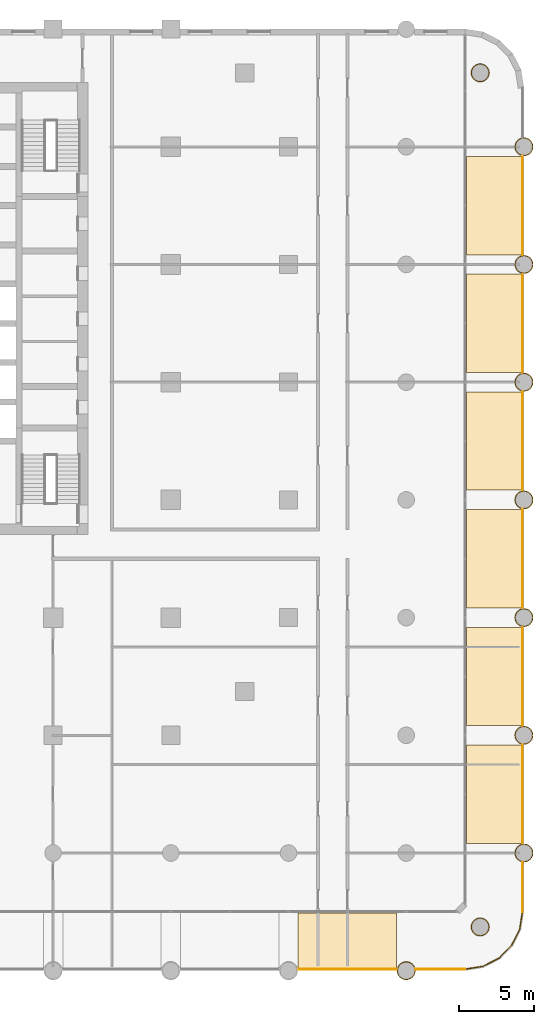
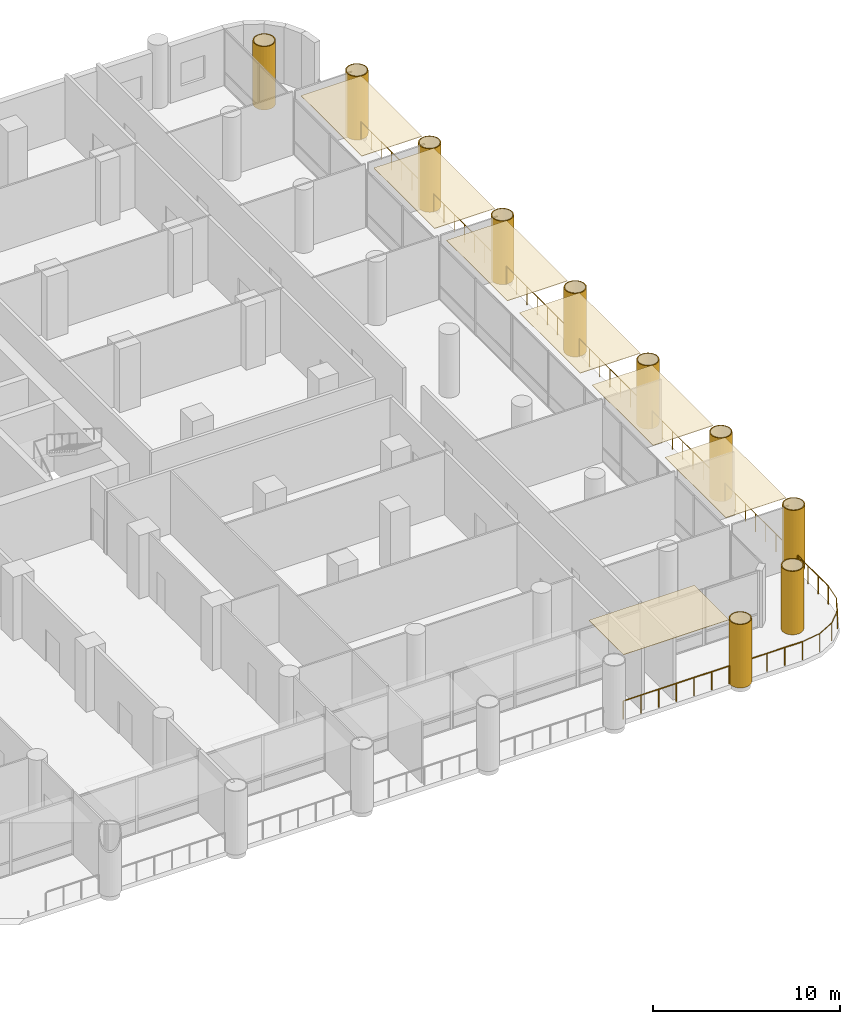
# One storey, part 22 of 23: 17 coverings, 10 railings.
"""IFC4 building model written with IfcOpenShell, lengths in metres."""

from ifc_helpers import new_model, si_unit, direction, frame, origin, origin_2d, place, context, subcontext, project, spatial, polyline, rectangle, circle, outline, extrude, material, layer, layer_set, type_object, element, save


model = new_model("IFC4")

# Units and contexts
model_context = context("Model", 3, precision=1e-05, world=origin(), true_north=direction((0.0, 1.0)))
body_context = subcontext(model_context, "Body", "Model", "MODEL_VIEW")
ifc_project = project(units=[si_unit("LENGTHUNIT", "METRE"), si_unit("AREAUNIT", "SQUARE_METRE"), si_unit("VOLUMEUNIT", "CUBIC_METRE"), si_unit("PLANEANGLEUNIT", "RADIAN"), si_unit("MASSUNIT", "GRAM", prefix="KILO")], contexts=[model_context])

# Site, building, storey
site_placement = place(None, origin())
site = spatial("IfcSite", under=ifc_project, at=site_placement, CompositionType="ELEMENT")
building_placement = place(site_placement, origin())
building = spatial("IfcBuilding", under=site, at=building_placement, Name="Ludao Terraces", CompositionType="ELEMENT")
storey_placement = place(building_placement, frame((0.0, 0.0, 10.5)))
storey = spatial("IfcBuildingStorey", under=building, at=storey_placement, Name="L02", CompositionType="ELEMENT", Elevation=10.5)

# Coverings
ifc_material_1 = material(Name="Stone-effect cement board ceiling lining", Category="masonry")
ifc_layer_1 = layer(ifc_material_1, 0.030029296875)
ifc_layer_set_1 = layer_set([ifc_layer_1], Name="ENV Arcade ceiling lining 30")
covering_type_1 = type_object("IfcCoveringType", Name="ENV Arcade ceiling lining 30", PredefinedType="CEILING", material=ifc_layer_set_1)
covering_1_placement = place(storey_placement, frame((112.300048828125, 27.9599609375, 4.169921875), z_axis=(0.0, 0.0, 1.0), x_axis=(1.0, 0.0, 0.0)))
element("IfcCovering", 1, at=covering_1_placement, inside=storey, type_object=covering_type_1, Name="CL-L02-S8", PredefinedType="CEILING", context=body_context, shape_type="SweptSolid", body=[
    extrude(rectangle(XDim=6.52001953125, YDim=3.719970703125, at=origin_2d()), origin(), (0.0, 0.0, 1.0), 0.030029296875),
])
for number, where, z_axis, x_axis, name in (
    (2, (122.0400390625, 37.699951171875, 4.169921875), (0.0, 0.0, 1.0), (1.0, 0.0, 0.0), "CL-L02-E1"),
    (3, (122.0400390625, 45.5, 4.169921875), (0.0, 0.0, 1.0), (1.0, 0.0, 0.0), "CL-L02-E2"),
    (4, (122.0400390625, 53.300048828125, 4.169921875), (0.0, 0.0, 1.0), (1.0, 0.0, 0.0), "CL-L02-E3"),
    (5, (122.0400390625, 61.10009765625, 4.169921875), (0.0, 0.0, 1.0), (1.0, 0.0, 0.0), "CL-L02-E4"),
    (6, (122.0400390625, 68.89990234375, 4.169921875), (0.0, 0.0, 1.0), (1.0, 0.0, 0.0), "CL-L02-E5"),
    (7, (122.0400390625, 76.699951171875, 4.169921875), (0.0, 0.0, 1.0), (1.0, 0.0, 0.0), "CL-L02-E6"),
):
    element("IfcCovering", number, at=place(storey_placement, frame(where, z_axis=z_axis, x_axis=x_axis)), inside=storey, type_object=covering_type_1, Name=name, PredefinedType="CEILING", context=body_context, shape_type="SweptSolid", body=[
        extrude(rectangle(XDim=3.719970703125, YDim=6.52001953125, at=origin_2d()), origin(), (0.0, 0.0, 1.0), 0.030029296875),
    ])

# Railings
ifc_material_2 = material(Name="Steel Q235", Category="steel")
railing_type = type_object("IfcRailingType", Name="ENV Open-edge guard 1200", PredefinedType="GUARDRAIL", material=ifc_material_2)
railing_1_placement = place(storey_placement, frame((109.02001953125, 26.10009765625, 0.0)))
element("IfcRailing", 8, at=railing_1_placement, inside=storey, type_object=railing_type, Name="Guard L02 S9", PredefinedType="GUARDRAIL", context=body_context, shape_type="SweptSolid", body=[
    extrude(circle(Radius=0.02392578125, at=origin_2d()), frame((0.0, 0.0, 1.17578125), z_axis=(1.0, 0.0, 0.0), x_axis=(0.0, 1.0, 0.0)), (0.0, 0.0, 1.0), 6.56005859375),
    extrude(circle(Radius=0.02099609375, at=origin_2d()), origin(), (0.0, 0.0, 1.0), 1.15185546875),
    extrude(circle(Radius=0.02099609375, at=origin_2d()), frame((1.09326171875, 0.0, 0.0)), (0.0, 0.0, 1.0), 1.15185546875),
    extrude(circle(Radius=0.02099609375, at=origin_2d()), frame((2.186767578125, 0.0, 0.0)), (0.0, 0.0, 1.0), 1.15185546875),
    extrude(circle(Radius=0.02099609375, at=origin_2d()), frame((3.280029296875, 0.0, 0.0)), (0.0, 0.0, 1.0), 1.15185546875),
    extrude(circle(Radius=0.02099609375, at=origin_2d()), frame((4.373291015625, 0.0, 0.0)), (0.0, 0.0, 1.0), 1.15185546875),
    extrude(circle(Radius=0.02099609375, at=origin_2d()), frame((5.466796875, 0.0, 0.0)), (0.0, 0.0, 1.0), 1.15185546875),
    extrude(circle(Radius=0.02099609375, at=origin_2d()), frame((6.56005859375, 0.0, 0.0)), (0.0, 0.0, 1.0), 1.15185546875),
])
railing_2_placement = place(storey_placement, frame((116.820068359375, 26.10009765625, 0.0)))
element("IfcRailing", 9, at=railing_2_placement, inside=storey, type_object=railing_type, Name="Guard L02 S10", PredefinedType="GUARDRAIL", context=body_context, shape_type="SweptSolid", body=[
    extrude(circle(Radius=0.02392578125, at=origin_2d()), frame((0.0, 0.0, 1.17578125), z_axis=(1.0, 0.0, 0.0), x_axis=(0.0, 1.0, 0.0)), (0.0, 0.0, 1.0), 3.280029296875),
    extrude(circle(Radius=0.02099609375, at=origin_2d()), origin(), (0.0, 0.0, 1.0), 1.15185546875),
    extrude(circle(Radius=0.02099609375, at=origin_2d()), frame((1.09326171875, 0.0, 0.0)), (0.0, 0.0, 1.0), 1.15185546875),
    extrude(circle(Radius=0.02099609375, at=origin_2d()), frame((2.186767578125, 0.0, 0.0)), (0.0, 0.0, 1.0), 1.15185546875),
    extrude(circle(Radius=0.02099609375, at=origin_2d()), frame((3.280029296875, 0.0, 0.0)), (0.0, 0.0, 1.0), 1.15185546875),
])
railing_3_placement = place(storey_placement, frame((123.89990234375, 29.89990234375, 0.0)))
element("IfcRailing", 10, at=railing_3_placement, inside=storey, type_object=railing_type, Name="Guard L02 E1", PredefinedType="GUARDRAIL", context=body_context, shape_type="SweptSolid", body=[
    extrude(circle(Radius=0.02392578125, at=origin_2d()), frame((0.0, 0.0, 1.17578125), z_axis=(0.0, 1.0, 0.0), x_axis=(-1.0, 0.0, 0.0)), (0.0, 0.0, 1.0), 3.280029296875),
    extrude(circle(Radius=0.02099609375, at=origin_2d()), origin(), (0.0, 0.0, 1.0), 1.15185546875),
    extrude(circle(Radius=0.02099609375, at=origin_2d()), frame((0.0, 1.09326171875, 0.0)), (0.0, 0.0, 1.0), 1.15185546875),
    extrude(circle(Radius=0.02099609375, at=origin_2d()), frame((0.0, 2.186767578125, 0.0)), (0.0, 0.0, 1.0), 1.15185546875),
    extrude(circle(Radius=0.02099609375, at=origin_2d()), frame((0.0, 3.280029296875, 0.0)), (0.0, 0.0, 1.0), 1.15185546875),
])
for number, where, name in (
    (11, (123.89990234375, 34.419921875, 0.0), "Guard L02 E2"),
    (12, (123.89990234375, 42.219970703125, 0.0), "Guard L02 E3"),
    (13, (123.89990234375, 50.02001953125, 0.0), "Guard L02 E4"),
):
    element("IfcRailing", number, at=place(storey_placement, frame(where)), inside=storey, type_object=railing_type, Name=name, PredefinedType="GUARDRAIL", context=body_context, shape_type="SweptSolid", body=[
        extrude(circle(Radius=0.02392578125, at=origin_2d()), frame((0.0, 0.0, 1.17578125), z_axis=(0.0, 1.0, 0.0), x_axis=(-1.0, 0.0, 0.0)), (0.0, 0.0, 1.0), 6.56005859375),
        extrude(circle(Radius=0.02099609375, at=origin_2d()), origin(), (0.0, 0.0, 1.0), 1.15185546875),
        extrude(circle(Radius=0.02099609375, at=origin_2d()), frame((0.0, 1.09326171875, 0.0)), (0.0, 0.0, 1.0), 1.15185546875),
        extrude(circle(Radius=0.02099609375, at=origin_2d()), frame((0.0, 2.186767578125, 0.0)), (0.0, 0.0, 1.0), 1.15185546875),
        extrude(circle(Radius=0.02099609375, at=origin_2d()), frame((0.0, 3.280029296875, 0.0)), (0.0, 0.0, 1.0), 1.15185546875),
        extrude(circle(Radius=0.02099609375, at=origin_2d()), frame((0.0, 4.373291015625, 0.0)), (0.0, 0.0, 1.0), 1.15185546875),
        extrude(circle(Radius=0.02099609375, at=origin_2d()), frame((0.0, 5.466796875, 0.0)), (0.0, 0.0, 1.0), 1.15185546875),
        extrude(circle(Radius=0.02099609375, at=origin_2d()), frame((0.0, 6.56005859375, 0.0)), (0.0, 0.0, 1.0), 1.15185546875),
    ])
for number, where, name in (
    (14, (123.89990234375, 57.820068359375, 0.0), "Guard L02 E5"),
    (15, (123.89990234375, 65.6201171875, 0.0), "Guard L02 E6"),
):
    element("IfcRailing", number, at=place(storey_placement, frame(where)), inside=storey, type_object=railing_type, Name=name, PredefinedType="GUARDRAIL", context=body_context, shape_type="SweptSolid", body=[
        extrude(circle(Radius=0.02392578125, at=origin_2d()), frame((0.0, 0.0, 1.17578125), z_axis=(0.0, 1.0, 0.0), x_axis=(-1.0, 0.0, 0.0)), (0.0, 0.0, 1.0), 6.559814453125),
        extrude(circle(Radius=0.02099609375, at=origin_2d()), origin(), (0.0, 0.0, 1.0), 1.15185546875),
        extrude(circle(Radius=0.02099609375, at=origin_2d()), frame((0.0, 1.09326171875, 0.0)), (0.0, 0.0, 1.0), 1.15185546875),
        extrude(circle(Radius=0.02099609375, at=origin_2d()), frame((0.0, 2.1865234375, 0.0)), (0.0, 0.0, 1.0), 1.15185546875),
        extrude(circle(Radius=0.02099609375, at=origin_2d()), frame((0.0, 3.27978515625, 0.0)), (0.0, 0.0, 1.0), 1.15185546875),
        extrude(circle(Radius=0.02099609375, at=origin_2d()), frame((0.0, 4.373291015625, 0.0)), (0.0, 0.0, 1.0), 1.15185546875),
        extrude(circle(Radius=0.02099609375, at=origin_2d()), frame((0.0, 5.466552734375, 0.0)), (0.0, 0.0, 1.0), 1.15185546875),
        extrude(circle(Radius=0.02099609375, at=origin_2d()), frame((0.0, 6.559814453125, 0.0)), (0.0, 0.0, 1.0), 1.15185546875),
    ])
railing_4_placement = place(storey_placement, frame((123.89990234375, 73.419921875, 0.0)))
element("IfcRailing", 16, at=railing_4_placement, inside=storey, type_object=railing_type, Name="Guard L02 E7", PredefinedType="GUARDRAIL", context=body_context, shape_type="SweptSolid", body=[
    extrude(circle(Radius=0.02392578125, at=origin_2d()), frame((0.0, 0.0, 1.17578125), z_axis=(0.0, 1.0, 0.0), x_axis=(-1.0, 0.0, 0.0)), (0.0, 0.0, 1.0), 6.56005859375),
    extrude(circle(Radius=0.02099609375, at=origin_2d()), origin(), (0.0, 0.0, 1.0), 1.15185546875),
    extrude(circle(Radius=0.02099609375, at=origin_2d()), frame((0.0, 1.09326171875, 0.0)), (0.0, 0.0, 1.0), 1.15185546875),
    extrude(circle(Radius=0.02099609375, at=origin_2d()), frame((0.0, 2.186767578125, 0.0)), (0.0, 0.0, 1.0), 1.15185546875),
    extrude(circle(Radius=0.02099609375, at=origin_2d()), frame((0.0, 3.280029296875, 0.0)), (0.0, 0.0, 1.0), 1.15185546875),
    extrude(circle(Radius=0.02099609375, at=origin_2d()), frame((0.0, 4.373291015625, 0.0)), (0.0, 0.0, 1.0), 1.15185546875),
    extrude(circle(Radius=0.02099609375, at=origin_2d()), frame((0.0, 5.466796875, 0.0)), (0.0, 0.0, 1.0), 1.15185546875),
    extrude(circle(Radius=0.02099609375, at=origin_2d()), frame((0.0, 6.56005859375, 0.0)), (0.0, 0.0, 1.0), 1.15185546875),
])
railing_5_placement = place(storey_placement, frame((120.10009765625, 26.10009765625, 0.0)))
element("IfcRailing", 17, at=railing_5_placement, inside=storey, type_object=railing_type, Name="Guard L02 SE", PredefinedType="GUARDRAIL", context=body_context, shape_type="SweptSolid", body=[
    extrude(circle(Radius=0.02392578125, at=origin_2d()), frame((0.0, 0.0, 1.17578125), z_axis=(0.987709617879, 0.156300066377, 0.0), x_axis=(-0.156300066377, 0.987709617879, 0.0)), (0.0, 0.0, 1.0), 1.188720703125),
    extrude(circle(Radius=0.02392578125, at=origin_2d()), frame((1.174072265625, 0.185791015625, 1.17578125), z_axis=(0.890992479772, 0.454018062405, 0.0), x_axis=(-0.454018062405, 0.890992479772, 0.0)), (0.0, 0.0, 1.0), 1.18896484375),
    extrude(circle(Radius=0.02392578125, at=origin_2d()), frame((2.2333984375, 0.7255859375, 1.17578125), z_axis=(0.707106781187, 0.707106781187, 0.0), x_axis=(-0.707106781187, 0.707106781187, 0.0)), (0.0, 0.0, 1.0), 1.189208984375),
    extrude(circle(Radius=0.02392578125, at=origin_2d()), frame((3.07421875, 1.56640625, 1.17578125), z_axis=(0.454018062405, 0.890992479772, 0.0), x_axis=(-0.890992479772, 0.454018062405, 0.0)), (0.0, 0.0, 1.0), 1.18896484375),
    extrude(circle(Radius=0.02392578125, at=origin_2d()), frame((3.614013671875, 2.625732421875, 1.17578125), z_axis=(0.156300066377, 0.987709617879, 0.0), x_axis=(-0.987709617879, 0.156300066377, 0.0)), (0.0, 0.0, 1.0), 1.188720703125),
    extrude(circle(Radius=0.02099609375, at=origin_2d()), origin(), (0.0, 0.0, 1.0), 1.15185546875),
    extrude(circle(Radius=0.02099609375, at=origin_2d()), frame((1.174072265625, 0.185791015625, 0.0)), (0.0, 0.0, 1.0), 1.15185546875),
    extrude(circle(Radius=0.02099609375, at=origin_2d()), frame((2.2333984375, 0.7255859375, 0.0)), (0.0, 0.0, 1.0), 1.15185546875),
    extrude(circle(Radius=0.02099609375, at=origin_2d()), frame((3.07421875, 1.56640625, 0.0)), (0.0, 0.0, 1.0), 1.15185546875),
    extrude(circle(Radius=0.02099609375, at=origin_2d()), frame((3.614013671875, 2.625732421875, 0.0)), (0.0, 0.0, 1.0), 1.15185546875),
    extrude(circle(Radius=0.02099609375, at=origin_2d()), frame((3.7998046875, 3.7998046875, 0.0)), (0.0, 0.0, 1.0), 1.15185546875),
])

# Coverings
ifc_material_3 = material(Name="Granite cladding", Category="masonry")
ifc_layer_2 = layer(ifc_material_3, 0.06005859375)
ifc_layer_set_2 = layer_set([ifc_layer_2], Name="ENV Stone column casing 60")
covering_type_2 = type_object("IfcCoveringType", Name="ENV Stone column casing 60", PredefinedType="CLADDING", material=ifc_layer_set_2)
covering_2_placement = place(storey_placement, origin())
element("IfcCovering", 18, at=covering_2_placement, inside=storey, type_object=covering_type_2, Name="CC-L02-G0546x-156", PredefinedType="CLADDING", context=body_context, shape_type="SweptSolid", body=[
    extrude(outline(polyline([(116.814697265625, 26.0), (116.793701171875, 26.1591796875), (116.732421875, 26.307373046875), (116.634765625, 26.4345703125), (116.50732421875, 26.532470703125), (116.359130859375, 26.59375), (116.199951171875, 26.61474609375), (116.040771484375, 26.59375), (115.892578125, 26.532470703125), (115.765380859375, 26.4345703125), (115.667724609375, 26.307373046875), (115.606201171875, 26.1591796875), (115.585205078125, 26.0), (115.606201171875, 25.8408203125), (115.667724609375, 25.692626953125), (115.765380859375, 25.5654296875), (115.892578125, 25.467529296875), (116.040771484375, 25.40625), (116.199951171875, 25.38525390625), (116.359130859375, 25.40625), (116.50732421875, 25.467529296875), (116.634765625, 25.5654296875), (116.732421875, 25.692626953125), (116.793701171875, 25.8408203125), (116.814697265625, 26.0)]), holes=[polyline([(116.73583984375, 25.8564453125), (116.680419921875, 25.72265625), (116.59228515625, 25.607666015625), (116.477294921875, 25.51953125), (116.343505859375, 25.464111328125), (116.199951171875, 25.4453125), (116.056396484375, 25.464111328125), (115.922607421875, 25.51953125), (115.8076171875, 25.607666015625), (115.719482421875, 25.72265625), (115.6640625, 25.8564453125), (115.645263671875, 26.0), (115.6640625, 26.1435546875), (115.719482421875, 26.27734375), (115.8076171875, 26.392333984375), (115.922607421875, 26.48046875), (116.056396484375, 26.535888671875), (116.199951171875, 26.5546875), (116.343505859375, 26.535888671875), (116.477294921875, 26.48046875), (116.59228515625, 26.392333984375), (116.680419921875, 26.27734375), (116.73583984375, 26.1435546875), (116.754638671875, 26.0), (116.73583984375, 25.8564453125)])]), origin(), (0.0, 0.0, 1.0), 4.14990234375),
])
covering_3_placement = place(storey_placement, origin())
element("IfcCovering", 19, at=covering_3_placement, inside=storey, type_object=covering_type_2, Name="CC-L02-G0595x-127", PredefinedType="CLADDING", context=body_context, shape_type="SweptSolid", body=[
    extrude(outline(polyline([(121.71484375, 28.89990234375), (121.69384765625, 29.05908203125), (121.63232421875, 29.207275390625), (121.53466796875, 29.334716796875), (121.407470703125, 29.432373046875), (121.259033203125, 29.493896484375), (121.10009765625, 29.5146484375), (120.94091796875, 29.493896484375), (120.792724609375, 29.432373046875), (120.665283203125, 29.334716796875), (120.567626953125, 29.207275390625), (120.506103515625, 29.05908203125), (120.4853515625, 28.89990234375), (120.506103515625, 28.740966796875), (120.567626953125, 28.592529296875), (120.665283203125, 28.46533203125), (120.792724609375, 28.36767578125), (120.94091796875, 28.30615234375), (121.10009765625, 28.28515625), (121.259033203125, 28.30615234375), (121.407470703125, 28.36767578125), (121.53466796875, 28.46533203125), (121.63232421875, 28.592529296875), (121.69384765625, 28.740966796875), (121.71484375, 28.89990234375)]), holes=[polyline([(121.6357421875, 28.75634765625), (121.580322265625, 28.62255859375), (121.4921875, 28.5078125), (121.37744140625, 28.419677734375), (121.24365234375, 28.3642578125), (121.10009765625, 28.34521484375), (120.95654296875, 28.3642578125), (120.822509765625, 28.419677734375), (120.707763671875, 28.5078125), (120.61962890625, 28.62255859375), (120.564208984375, 28.75634765625), (120.545166015625, 28.89990234375), (120.564208984375, 29.04345703125), (120.61962890625, 29.177490234375), (120.707763671875, 29.292236328125), (120.822509765625, 29.38037109375), (120.95654296875, 29.435791015625), (121.10009765625, 29.454833984375), (121.24365234375, 29.435791015625), (121.37744140625, 29.38037109375), (121.4921875, 29.292236328125), (121.580322265625, 29.177490234375), (121.6357421875, 29.04345703125), (121.65478515625, 28.89990234375), (121.6357421875, 28.75634765625)])]), origin(), (0.0, 0.0, 1.0), 4.14990234375),
])
covering_4_placement = place(storey_placement, origin())
element("IfcCovering", 20, at=covering_4_placement, inside=storey, type_object=covering_type_2, Name="CC-L02-G0624x-078", PredefinedType="CLADDING", context=body_context, shape_type="SweptSolid", body=[
    extrude(outline(polyline([(124.61474609375, 33.800048828125), (124.59375, 33.959228515625), (124.532470703125, 34.107421875), (124.4345703125, 34.234619140625), (124.307373046875, 34.332275390625), (124.1591796875, 34.393798828125), (124.0, 34.414794921875), (123.8408203125, 34.393798828125), (123.692626953125, 34.332275390625), (123.5654296875, 34.234619140625), (123.467529296875, 34.107421875), (123.40625, 33.959228515625), (123.38525390625, 33.800048828125), (123.40625, 33.640869140625), (123.467529296875, 33.49267578125), (123.5654296875, 33.365234375), (123.692626953125, 33.267578125), (123.8408203125, 33.206298828125), (124.0, 33.185302734375), (124.1591796875, 33.206298828125), (124.307373046875, 33.267578125), (124.4345703125, 33.365234375), (124.532470703125, 33.49267578125), (124.59375, 33.640869140625), (124.61474609375, 33.800048828125)]), holes=[polyline([(124.535888671875, 33.656494140625), (124.48046875, 33.522705078125), (124.392333984375, 33.40771484375), (124.27734375, 33.319580078125), (124.1435546875, 33.26416015625), (124.0, 33.245361328125), (123.8564453125, 33.26416015625), (123.72265625, 33.319580078125), (123.607666015625, 33.40771484375), (123.51953125, 33.522705078125), (123.464111328125, 33.656494140625), (123.4453125, 33.800048828125), (123.464111328125, 33.943603515625), (123.51953125, 34.077392578125), (123.607666015625, 34.1923828125), (123.72265625, 34.280517578125), (123.8564453125, 34.3359375), (124.0, 34.354736328125), (124.1435546875, 34.3359375), (124.27734375, 34.280517578125), (124.392333984375, 34.1923828125), (124.48046875, 34.077392578125), (124.535888671875, 33.943603515625), (124.5546875, 33.800048828125), (124.535888671875, 33.656494140625)])]), origin(), (0.0, 0.0, 1.0), 4.14990234375),
])
covering_5_placement = place(storey_placement, origin())
element("IfcCovering", 21, at=covering_5_placement, inside=storey, type_object=covering_type_2, Name="CC-L02-G0624x0000", PredefinedType="CLADDING", context=body_context, shape_type="SweptSolid", body=[
    extrude(outline(polyline([(124.61474609375, 41.60009765625), (124.59375, 41.759033203125), (124.532470703125, 41.907470703125), (124.4345703125, 42.03466796875), (124.307373046875, 42.13232421875), (124.1591796875, 42.19384765625), (124.0, 42.21484375), (123.8408203125, 42.19384765625), (123.692626953125, 42.13232421875), (123.5654296875, 42.03466796875), (123.467529296875, 41.907470703125), (123.40625, 41.759033203125), (123.38525390625, 41.60009765625), (123.40625, 41.44091796875), (123.467529296875, 41.292724609375), (123.5654296875, 41.165283203125), (123.692626953125, 41.067626953125), (123.8408203125, 41.006103515625), (124.0, 40.9853515625), (124.1591796875, 41.006103515625), (124.307373046875, 41.067626953125), (124.4345703125, 41.165283203125), (124.532470703125, 41.292724609375), (124.59375, 41.44091796875), (124.61474609375, 41.60009765625)]), holes=[polyline([(124.535888671875, 41.45654296875), (124.48046875, 41.322509765625), (124.392333984375, 41.207763671875), (124.27734375, 41.11962890625), (124.1435546875, 41.064208984375), (124.0, 41.045166015625), (123.8564453125, 41.064208984375), (123.72265625, 41.11962890625), (123.607666015625, 41.207763671875), (123.51953125, 41.322509765625), (123.464111328125, 41.45654296875), (123.4453125, 41.60009765625), (123.464111328125, 41.74365234375), (123.51953125, 41.87744140625), (123.607666015625, 41.9921875), (123.72265625, 42.080322265625), (123.8564453125, 42.1357421875), (124.0, 42.15478515625), (124.1435546875, 42.1357421875), (124.27734375, 42.080322265625), (124.392333984375, 41.9921875), (124.48046875, 41.87744140625), (124.535888671875, 41.74365234375), (124.5546875, 41.60009765625), (124.535888671875, 41.45654296875)])]), origin(), (0.0, 0.0, 1.0), 4.14990234375),
])
covering_6_placement = place(storey_placement, origin())
element("IfcCovering", 22, at=covering_6_placement, inside=storey, type_object=covering_type_2, Name="CC-L02-G0624x0078", PredefinedType="CLADDING", context=body_context, shape_type="SweptSolid", body=[
    extrude(outline(polyline([(124.61474609375, 49.39990234375), (124.59375, 49.55908203125), (124.532470703125, 49.707275390625), (124.4345703125, 49.834716796875), (124.307373046875, 49.932373046875), (124.1591796875, 49.993896484375), (124.0, 50.0146484375), (123.8408203125, 49.993896484375), (123.692626953125, 49.932373046875), (123.5654296875, 49.834716796875), (123.467529296875, 49.707275390625), (123.40625, 49.55908203125), (123.38525390625, 49.39990234375), (123.40625, 49.240966796875), (123.467529296875, 49.092529296875), (123.5654296875, 48.96533203125), (123.692626953125, 48.86767578125), (123.8408203125, 48.80615234375), (124.0, 48.78515625), (124.1591796875, 48.80615234375), (124.307373046875, 48.86767578125), (124.4345703125, 48.96533203125), (124.532470703125, 49.092529296875), (124.59375, 49.240966796875), (124.61474609375, 49.39990234375)]), holes=[polyline([(124.535888671875, 49.25634765625), (124.48046875, 49.12255859375), (124.392333984375, 49.0078125), (124.27734375, 48.919677734375), (124.1435546875, 48.8642578125), (124.0, 48.84521484375), (123.8564453125, 48.8642578125), (123.72265625, 48.919677734375), (123.607666015625, 49.0078125), (123.51953125, 49.12255859375), (123.464111328125, 49.25634765625), (123.4453125, 49.39990234375), (123.464111328125, 49.54345703125), (123.51953125, 49.677490234375), (123.607666015625, 49.792236328125), (123.72265625, 49.88037109375), (123.8564453125, 49.935791015625), (124.0, 49.954833984375), (124.1435546875, 49.935791015625), (124.27734375, 49.88037109375), (124.392333984375, 49.792236328125), (124.48046875, 49.677490234375), (124.535888671875, 49.54345703125), (124.5546875, 49.39990234375), (124.535888671875, 49.25634765625)])]), origin(), (0.0, 0.0, 1.0), 4.14990234375),
])
covering_7_placement = place(storey_placement, origin())
element("IfcCovering", 23, at=covering_7_placement, inside=storey, type_object=covering_type_2, Name="CC-L02-G0624x0156", PredefinedType="CLADDING", context=body_context, shape_type="SweptSolid", body=[
    extrude(outline(polyline([(124.61474609375, 57.199951171875), (124.59375, 57.359130859375), (124.532470703125, 57.50732421875), (124.4345703125, 57.634765625), (124.307373046875, 57.732421875), (124.1591796875, 57.793701171875), (124.0, 57.814697265625), (123.8408203125, 57.793701171875), (123.692626953125, 57.732421875), (123.5654296875, 57.634765625), (123.467529296875, 57.50732421875), (123.40625, 57.359130859375), (123.38525390625, 57.199951171875), (123.40625, 57.040771484375), (123.467529296875, 56.892578125), (123.5654296875, 56.765380859375), (123.692626953125, 56.667724609375), (123.8408203125, 56.606201171875), (124.0, 56.585205078125), (124.1591796875, 56.606201171875), (124.307373046875, 56.667724609375), (124.4345703125, 56.765380859375), (124.532470703125, 56.892578125), (124.59375, 57.040771484375), (124.61474609375, 57.199951171875)]), holes=[polyline([(124.535888671875, 57.056396484375), (124.48046875, 56.922607421875), (124.392333984375, 56.8076171875), (124.27734375, 56.719482421875), (124.1435546875, 56.6640625), (124.0, 56.645263671875), (123.8564453125, 56.6640625), (123.72265625, 56.719482421875), (123.607666015625, 56.8076171875), (123.51953125, 56.922607421875), (123.464111328125, 57.056396484375), (123.4453125, 57.199951171875), (123.464111328125, 57.343505859375), (123.51953125, 57.477294921875), (123.607666015625, 57.59228515625), (123.72265625, 57.680419921875), (123.8564453125, 57.73583984375), (124.0, 57.754638671875), (124.1435546875, 57.73583984375), (124.27734375, 57.680419921875), (124.392333984375, 57.59228515625), (124.48046875, 57.477294921875), (124.535888671875, 57.343505859375), (124.5546875, 57.199951171875), (124.535888671875, 57.056396484375)])]), origin(), (0.0, 0.0, 1.0), 4.14990234375),
])
covering_8_placement = place(storey_placement, origin())
element("IfcCovering", 24, at=covering_8_placement, inside=storey, type_object=covering_type_2, Name="CC-L02-G0624x0234", PredefinedType="CLADDING", context=body_context, shape_type="SweptSolid", body=[
    extrude(outline(polyline([(124.61474609375, 65.0), (124.59375, 65.1591796875), (124.532470703125, 65.307373046875), (124.4345703125, 65.4345703125), (124.307373046875, 65.532470703125), (124.1591796875, 65.59375), (124.0, 65.61474609375), (123.8408203125, 65.59375), (123.692626953125, 65.532470703125), (123.5654296875, 65.4345703125), (123.467529296875, 65.307373046875), (123.40625, 65.1591796875), (123.38525390625, 65.0), (123.40625, 64.8408203125), (123.467529296875, 64.692626953125), (123.5654296875, 64.5654296875), (123.692626953125, 64.467529296875), (123.8408203125, 64.40625), (124.0, 64.38525390625), (124.1591796875, 64.40625), (124.307373046875, 64.467529296875), (124.4345703125, 64.5654296875), (124.532470703125, 64.692626953125), (124.59375, 64.8408203125), (124.61474609375, 65.0)]), holes=[polyline([(124.535888671875, 64.8564453125), (124.48046875, 64.72265625), (124.392333984375, 64.607666015625), (124.27734375, 64.51953125), (124.1435546875, 64.464111328125), (124.0, 64.4453125), (123.8564453125, 64.464111328125), (123.72265625, 64.51953125), (123.607666015625, 64.607666015625), (123.51953125, 64.72265625), (123.464111328125, 64.8564453125), (123.4453125, 65.0), (123.464111328125, 65.1435546875), (123.51953125, 65.27734375), (123.607666015625, 65.392333984375), (123.72265625, 65.48046875), (123.8564453125, 65.535888671875), (124.0, 65.5546875), (124.1435546875, 65.535888671875), (124.27734375, 65.48046875), (124.392333984375, 65.392333984375), (124.48046875, 65.27734375), (124.535888671875, 65.1435546875), (124.5546875, 65.0), (124.535888671875, 64.8564453125)])]), origin(), (0.0, 0.0, 1.0), 4.14990234375),
])
covering_9_placement = place(storey_placement, origin())
element("IfcCovering", 25, at=covering_9_placement, inside=storey, type_object=covering_type_2, Name="CC-L02-G0624x0312", PredefinedType="CLADDING", context=body_context, shape_type="SweptSolid", body=[
    extrude(outline(polyline([(124.61474609375, 72.800048828125), (124.59375, 72.959228515625), (124.532470703125, 73.107421875), (124.4345703125, 73.234619140625), (124.307373046875, 73.332275390625), (124.1591796875, 73.393798828125), (124.0, 73.414794921875), (123.8408203125, 73.393798828125), (123.692626953125, 73.332275390625), (123.5654296875, 73.234619140625), (123.467529296875, 73.107421875), (123.40625, 72.959228515625), (123.38525390625, 72.800048828125), (123.40625, 72.640869140625), (123.467529296875, 72.49267578125), (123.5654296875, 72.365234375), (123.692626953125, 72.267578125), (123.8408203125, 72.206298828125), (124.0, 72.185302734375), (124.1591796875, 72.206298828125), (124.307373046875, 72.267578125), (124.4345703125, 72.365234375), (124.532470703125, 72.49267578125), (124.59375, 72.640869140625), (124.61474609375, 72.800048828125)]), holes=[polyline([(124.535888671875, 72.656494140625), (124.48046875, 72.522705078125), (124.392333984375, 72.40771484375), (124.27734375, 72.319580078125), (124.1435546875, 72.26416015625), (124.0, 72.245361328125), (123.8564453125, 72.26416015625), (123.72265625, 72.319580078125), (123.607666015625, 72.40771484375), (123.51953125, 72.522705078125), (123.464111328125, 72.656494140625), (123.4453125, 72.800048828125), (123.464111328125, 72.943603515625), (123.51953125, 73.077392578125), (123.607666015625, 73.1923828125), (123.72265625, 73.280517578125), (123.8564453125, 73.3359375), (124.0, 73.354736328125), (124.1435546875, 73.3359375), (124.27734375, 73.280517578125), (124.392333984375, 73.1923828125), (124.48046875, 73.077392578125), (124.535888671875, 72.943603515625), (124.5546875, 72.800048828125), (124.535888671875, 72.656494140625)])]), origin(), (0.0, 0.0, 1.0), 4.14990234375),
])
covering_10_placement = place(storey_placement, origin())
element("IfcCovering", 26, at=covering_10_placement, inside=storey, type_object=covering_type_2, Name="CC-L02-G0624x0390", PredefinedType="CLADDING", context=body_context, shape_type="SweptSolid", body=[
    extrude(outline(polyline([(124.61474609375, 80.60009765625), (124.59375, 80.759033203125), (124.532470703125, 80.907470703125), (124.4345703125, 81.03466796875), (124.307373046875, 81.13232421875), (124.1591796875, 81.19384765625), (124.0, 81.21484375), (123.8408203125, 81.19384765625), (123.692626953125, 81.13232421875), (123.5654296875, 81.03466796875), (123.467529296875, 80.907470703125), (123.40625, 80.759033203125), (123.38525390625, 80.60009765625), (123.40625, 80.44091796875), (123.467529296875, 80.292724609375), (123.5654296875, 80.165283203125), (123.692626953125, 80.067626953125), (123.8408203125, 80.006103515625), (124.0, 79.9853515625), (124.1591796875, 80.006103515625), (124.307373046875, 80.067626953125), (124.4345703125, 80.165283203125), (124.532470703125, 80.292724609375), (124.59375, 80.44091796875), (124.61474609375, 80.60009765625)]), holes=[polyline([(124.535888671875, 80.45654296875), (124.48046875, 80.322509765625), (124.392333984375, 80.207763671875), (124.27734375, 80.11962890625), (124.1435546875, 80.064208984375), (124.0, 80.045166015625), (123.8564453125, 80.064208984375), (123.72265625, 80.11962890625), (123.607666015625, 80.207763671875), (123.51953125, 80.322509765625), (123.464111328125, 80.45654296875), (123.4453125, 80.60009765625), (123.464111328125, 80.74365234375), (123.51953125, 80.87744140625), (123.607666015625, 80.9921875), (123.72265625, 81.080322265625), (123.8564453125, 81.1357421875), (124.0, 81.15478515625), (124.1435546875, 81.1357421875), (124.27734375, 81.080322265625), (124.392333984375, 80.9921875), (124.48046875, 80.87744140625), (124.535888671875, 80.74365234375), (124.5546875, 80.60009765625), (124.535888671875, 80.45654296875)])]), origin(), (0.0, 0.0, 1.0), 4.14990234375),
])
covering_11_placement = place(storey_placement, origin())
element("IfcCovering", 27, at=covering_11_placement, inside=storey, type_object=covering_type_2, Name="CC-L02-G0595x0439", PredefinedType="CLADDING", context=body_context, shape_type="SweptSolid", body=[
    extrude(outline(polyline([(121.71484375, 85.5), (121.69384765625, 85.6591796875), (121.63232421875, 85.807373046875), (121.53466796875, 85.9345703125), (121.407470703125, 86.032470703125), (121.259033203125, 86.09375), (121.10009765625, 86.11474609375), (120.94091796875, 86.09375), (120.792724609375, 86.032470703125), (120.665283203125, 85.9345703125), (120.567626953125, 85.807373046875), (120.506103515625, 85.6591796875), (120.4853515625, 85.5), (120.506103515625, 85.3408203125), (120.567626953125, 85.192626953125), (120.665283203125, 85.0654296875), (120.792724609375, 84.967529296875), (120.94091796875, 84.90625), (121.10009765625, 84.88525390625), (121.259033203125, 84.90625), (121.407470703125, 84.967529296875), (121.53466796875, 85.0654296875), (121.63232421875, 85.192626953125), (121.69384765625, 85.3408203125), (121.71484375, 85.5)]), holes=[polyline([(121.6357421875, 85.3564453125), (121.580322265625, 85.22265625), (121.4921875, 85.107666015625), (121.37744140625, 85.01953125), (121.24365234375, 84.964111328125), (121.10009765625, 84.9453125), (120.95654296875, 84.964111328125), (120.822509765625, 85.01953125), (120.707763671875, 85.107666015625), (120.61962890625, 85.22265625), (120.564208984375, 85.3564453125), (120.545166015625, 85.5), (120.564208984375, 85.6435546875), (120.61962890625, 85.77734375), (120.707763671875, 85.892333984375), (120.822509765625, 85.98046875), (120.95654296875, 86.035888671875), (121.10009765625, 86.0546875), (121.24365234375, 86.035888671875), (121.37744140625, 85.98046875), (121.4921875, 85.892333984375), (121.580322265625, 85.77734375), (121.6357421875, 85.6435546875), (121.65478515625, 85.5), (121.6357421875, 85.3564453125)])]), origin(), (0.0, 0.0, 1.0), 4.14990234375),
])

save(model, "model.ifc")
